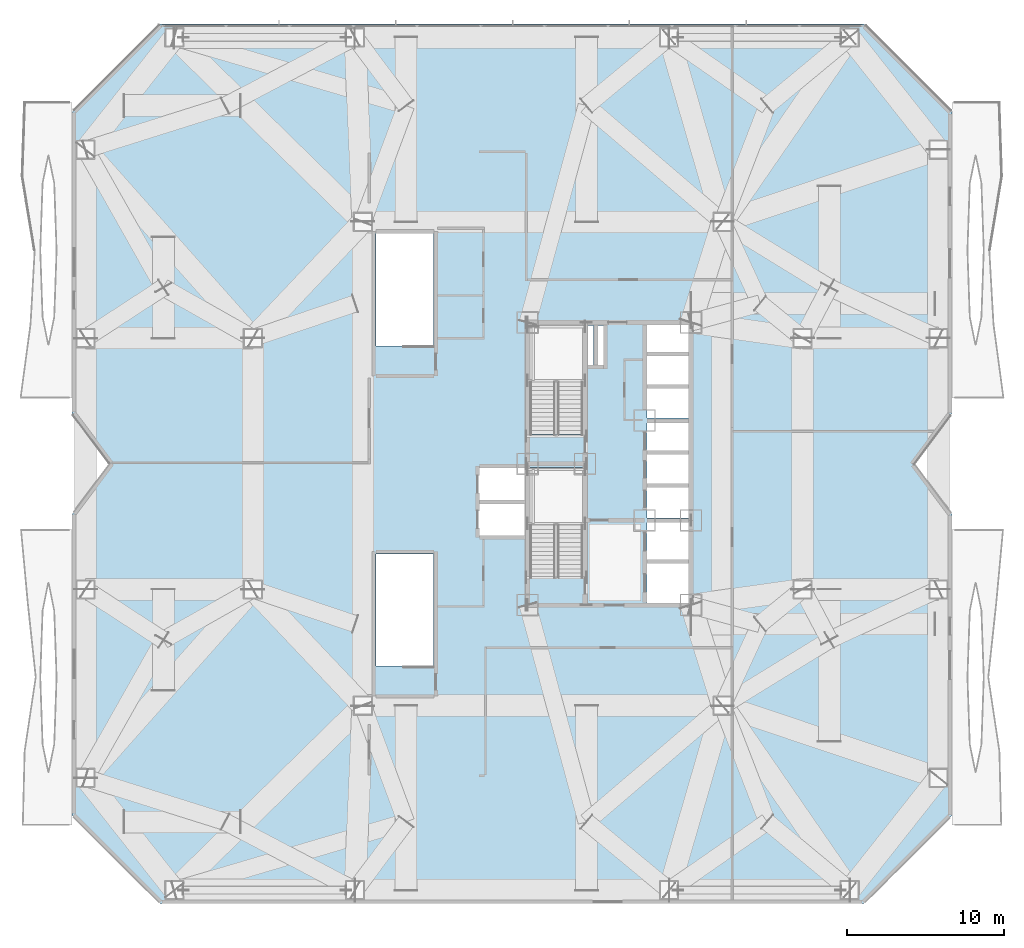
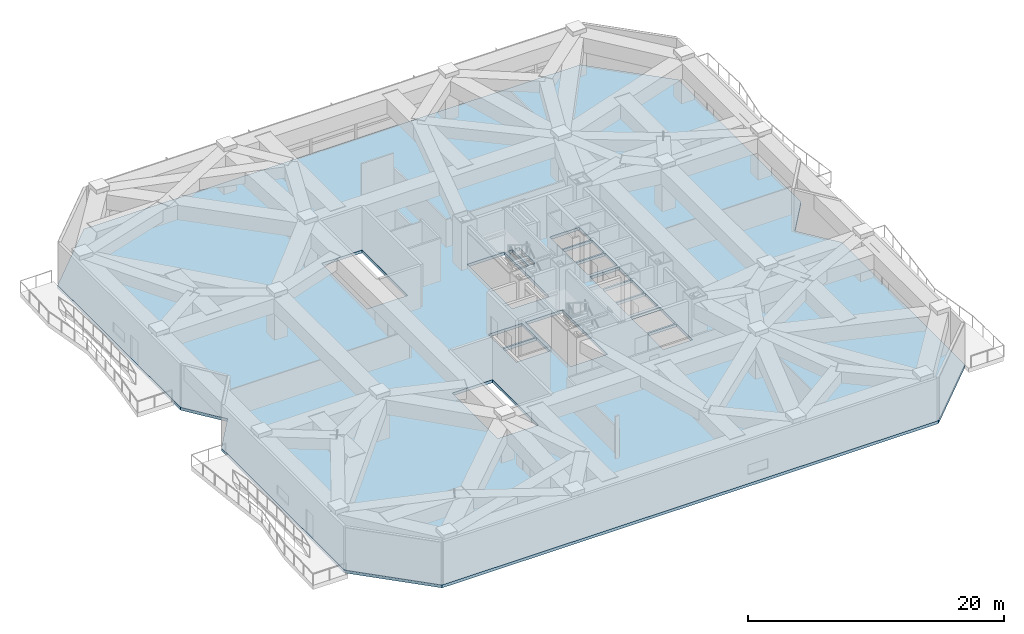
# One storey, part 14 of 27: 1 slab.
"""IFC4 building model written with IfcOpenShell, lengths in metres."""

from ifc_helpers import new_model, si_unit, direction, frame, origin, place, context, subcontext, project, spatial, polyline, outline, extrude, material, layer, layer_set, type_object, element, save


model = new_model("IFC4")

# Units and contexts
model_context = context("Model", 3, precision=1e-05, world=origin(), true_north=direction((0.0, 1.0)))
body_context = subcontext(model_context, "Body", "Model", "MODEL_VIEW")
ifc_project = project(units=[si_unit("LENGTHUNIT", "METRE"), si_unit("AREAUNIT", "SQUARE_METRE"), si_unit("VOLUMEUNIT", "CUBIC_METRE"), si_unit("PLANEANGLEUNIT", "RADIAN"), si_unit("MASSUNIT", "GRAM", prefix="KILO")], contexts=[model_context])

# Site, building, storey
site_placement = place(None, origin())
site = spatial("IfcSite", under=ifc_project, at=site_placement, CompositionType="ELEMENT")
building_placement = place(site_placement, origin())
building = spatial("IfcBuilding", under=site, at=building_placement, Name="Khamvora Tower", CompositionType="ELEMENT")
storey_placement = place(building_placement, frame((0.0, 0.0, 28.800048828125)))
storey = spatial("IfcBuildingStorey", under=building, at=storey_placement, Name="L06", CompositionType="ELEMENT", Elevation=28.800048828125)

# Slab
ifc_material = material(Name="Concrete C35/45", Category="concrete")
ifc_layer = layer(ifc_material, 0.280029296875)
ifc_layer_set = layer_set([ifc_layer], Name="Concrete C35/45")
slab_type = type_object("IfcSlabType", Name="SLB-SCH-280", PredefinedType="FLOOR", material=ifc_layer_set)
slab_placement = place(storey_placement, frame((0.0, 0.0, -0.280029296875)))
element("IfcSlab", 1, at=slab_placement, inside=storey, type_object=slab_type, Name="L06 structural floor slab", PredefinedType="FLOOR", context=body_context, shape_type="SweptSolid", body=[
    extrude(outline(polyline([(5.60009765625, 0.0), (50.39990234375, 0.0), (56.0, 5.60009765625), (56.0, 24.800048828125), (53.60009765625, 28.0), (56.0, 31.199951171875), (56.0, 50.39990234375), (50.39990234375, 56.0), (5.60009765625, 56.0), (0.0, 50.39990234375), (0.0, 31.199951171875), (2.39990234375, 28.0), (0.0, 24.800048828125), (0.0, 5.60009765625), (5.60009765625, 0.0)]), holes=[polyline([(32.5, 20.760009765625), (32.5, 27.75), (29.14990234375, 27.75), (29.14990234375, 20.760009765625), (32.5, 20.760009765625)]), polyline([(32.5, 29.860107421875), (32.5, 36.85009765625), (29.14990234375, 36.85009765625), (29.14990234375, 29.860107421875), (32.5, 29.860107421875)]), polyline([(23.0, 15.110107421875), (23.0, 22.25), (19.35009765625, 22.25), (19.35009765625, 15.110107421875), (23.0, 15.110107421875)]), polyline([(23.0, 35.510009765625), (23.0, 42.64990234375), (19.35009765625, 42.64990234375), (19.35009765625, 35.510009765625), (23.0, 35.510009765625)]), polyline([(36.60009765625, 19.14990234375), (39.25, 19.14990234375), (39.25, 21.64990234375), (36.60009765625, 21.64990234375), (36.60009765625, 19.14990234375)]), polyline([(36.60009765625, 21.800048828125), (39.25, 21.800048828125), (39.25, 24.25), (36.60009765625, 24.25), (36.60009765625, 21.800048828125)]), polyline([(36.60009765625, 24.550048828125), (39.25, 24.550048828125), (39.25, 26.5), (36.60009765625, 26.5), (36.60009765625, 24.550048828125)]), polyline([(36.60009765625, 26.64990234375), (39.25, 26.64990234375), (39.25, 28.60009765625), (36.60009765625, 28.60009765625), (36.60009765625, 26.64990234375)]), polyline([(36.60009765625, 28.75), (39.25, 28.75), (39.25, 30.60009765625), (36.60009765625, 30.60009765625), (36.60009765625, 28.75)]), polyline([(36.60009765625, 30.89990234375), (39.25, 30.89990234375), (39.25, 32.800048828125), (36.60009765625, 32.800048828125), (36.60009765625, 30.89990234375)]), polyline([(36.60009765625, 32.949951171875), (39.25, 32.949951171875), (39.25, 34.85009765625), (36.60009765625, 34.85009765625), (36.60009765625, 32.949951171875)]), polyline([(36.60009765625, 35.0), (39.25, 35.0), (39.25, 36.85009765625), (36.60009765625, 36.85009765625), (36.60009765625, 35.0)]), polyline([(25.800048828125, 23.39990234375), (28.85009765625, 23.39990234375), (28.85009765625, 25.5), (25.800048828125, 25.5), (25.800048828125, 23.39990234375)]), polyline([(25.800048828125, 25.64990234375), (28.85009765625, 25.64990234375), (28.85009765625, 27.75), (25.800048828125, 27.75), (25.800048828125, 25.64990234375)]), polyline([(32.800048828125, 34.300048828125), (33.199951171875, 34.300048828125), (33.199951171875, 36.800048828125), (32.800048828125, 36.800048828125), (32.800048828125, 34.300048828125)]), polyline([(33.47998046875, 34.300048828125), (33.820068359375, 34.300048828125), (33.820068359375, 36.800048828125), (33.47998046875, 36.800048828125), (33.47998046875, 34.300048828125)])]), origin(), (0.0, 0.0, 1.0), 0.280029296875),
])

save(model, "model.ifc")
